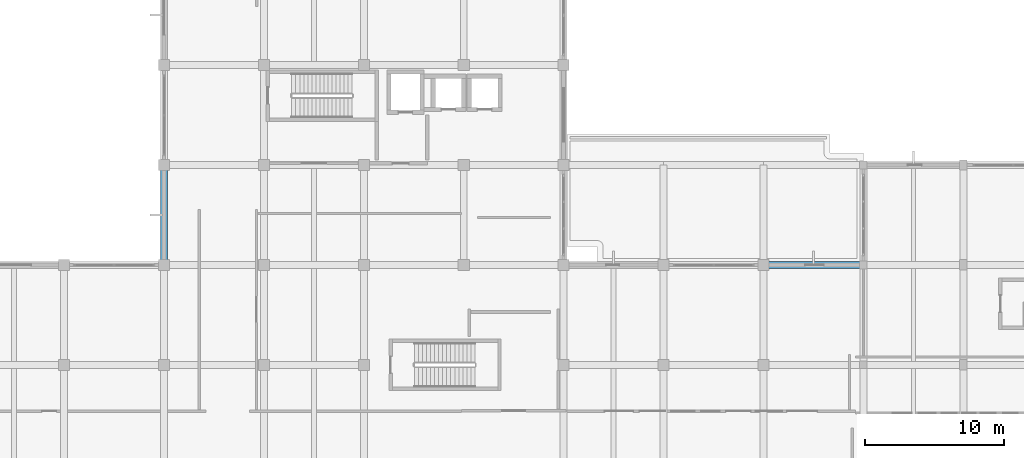
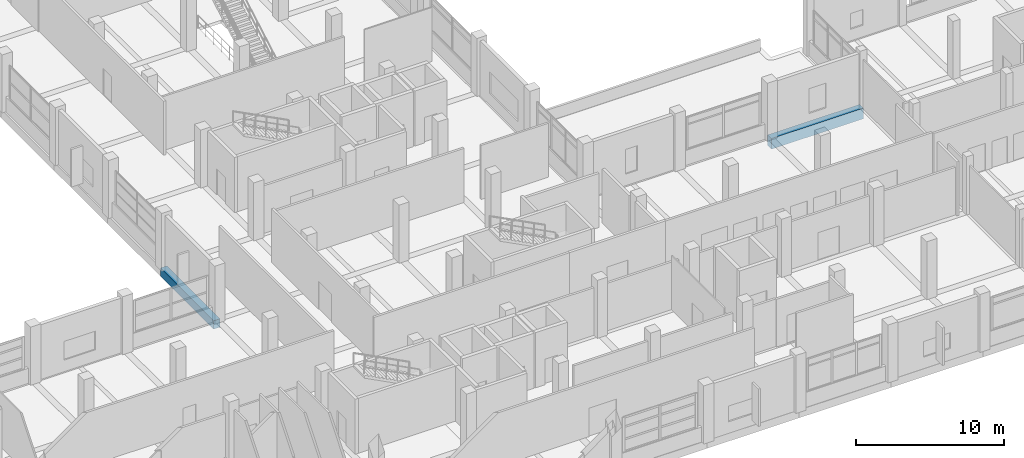
# One storey, part 43 of 140: 2 beams.
"""IFC4 building model written with IfcOpenShell, lengths in metres."""

from ifc_helpers import new_model, si_unit, direction, frame, origin, origin_2d, place, context, subcontext, project, spatial, rectangle, extrude, material, material_profile, profile_set, type_object, element, save


model = new_model("IFC4")

# Units and contexts
model_context = context("Model", 3, precision=1e-05, world=origin(), true_north=direction((0.0, 1.0)))
body_context = subcontext(model_context, "Body", "Model", "MODEL_VIEW")
ifc_project = project(units=[si_unit("LENGTHUNIT", "METRE"), si_unit("AREAUNIT", "SQUARE_METRE"), si_unit("VOLUMEUNIT", "CUBIC_METRE"), si_unit("PLANEANGLEUNIT", "RADIAN"), si_unit("MASSUNIT", "GRAM", prefix="KILO")], contexts=[model_context])

# Site, building, storey
site_placement = place(None, origin())
site = spatial("IfcSite", under=ifc_project, at=site_placement, CompositionType="ELEMENT")
building_placement = place(site_placement, origin())
building = spatial("IfcBuilding", under=site, at=building_placement, Name="Seraya Terrace Polytechnic", CompositionType="ELEMENT")
storey_placement = place(building_placement, frame((0.0, 0.0, 9.60009765625)))
storey = spatial("IfcBuildingStorey", under=building, at=storey_placement, Name="L02", CompositionType="ELEMENT", Elevation=9.60009765625)

# Beams
ifc_material = material(Name="Concrete C40/50", Category="concrete")
ifc_material_profile_1 = material_profile(ifc_material, rectangle(XDim=0.52001953125, YDim=0.8798828125, at=origin_2d()), Name="RC 520x880")
ifc_profile_set_1 = profile_set([ifc_material_profile_1], Name="Concrete C40/50")
beam_type_1 = type_object("IfcBeamType", Name="BM-04", PredefinedType="BEAM", material=ifc_profile_set_1)
beam_1_placement = place(storey_placement, frame((122.39990234375, 28.800048828125, -0.440185546875), z_axis=(1.0, 0.0, 0.0), x_axis=(0.0, 1.0, 0.0)))
element("IfcBeam", 1, at=beam_1_placement, inside=storey, type_object=beam_type_1, Name="Beam BM-04 L02 X (122.4..129.6, 28.8)", PredefinedType="BEAM", context=body_context, shape_type="SweptSolid", body=[
    extrude(rectangle(XDim=0.52001953125, YDim=0.8798828125, at=origin_2d()), origin(), (0.0, 0.0, 1.0), 7.2001953125),
])
ifc_material_profile_2 = material_profile(ifc_material, rectangle(XDim=0.5, YDim=0.699951171875, at=origin_2d()), Name="RC 500x700")
ifc_profile_set_2 = profile_set([ifc_material_profile_2], Name="Concrete C40/50")
beam_type_2 = type_object("IfcBeamType", Name="BM-07", PredefinedType="BEAM", material=ifc_profile_set_2)
beam_2_placement = place(storey_placement, frame((79.199951171875, 28.800048828125, -0.35009765625), z_axis=(0.0, 1.0, 0.0), x_axis=(-1.0, 0.0, 0.0)))
element("IfcBeam", 2, at=beam_2_placement, inside=storey, type_object=beam_type_2, Name="Beam BM-07 L02 Y (79.2, 28.8..36.0)", PredefinedType="BEAM", context=body_context, shape_type="SweptSolid", body=[
    extrude(rectangle(XDim=0.5, YDim=0.699951171875, at=origin_2d()), origin(), (0.0, 0.0, 1.0), 7.199951171875),
])

save(model, "model.ifc")
